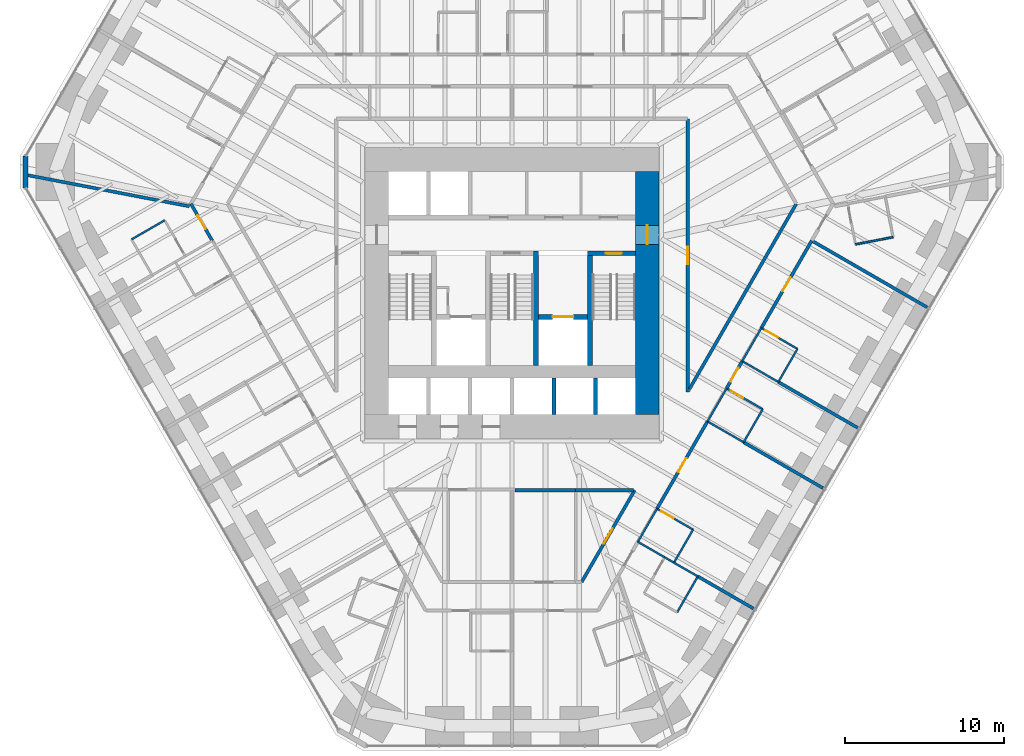
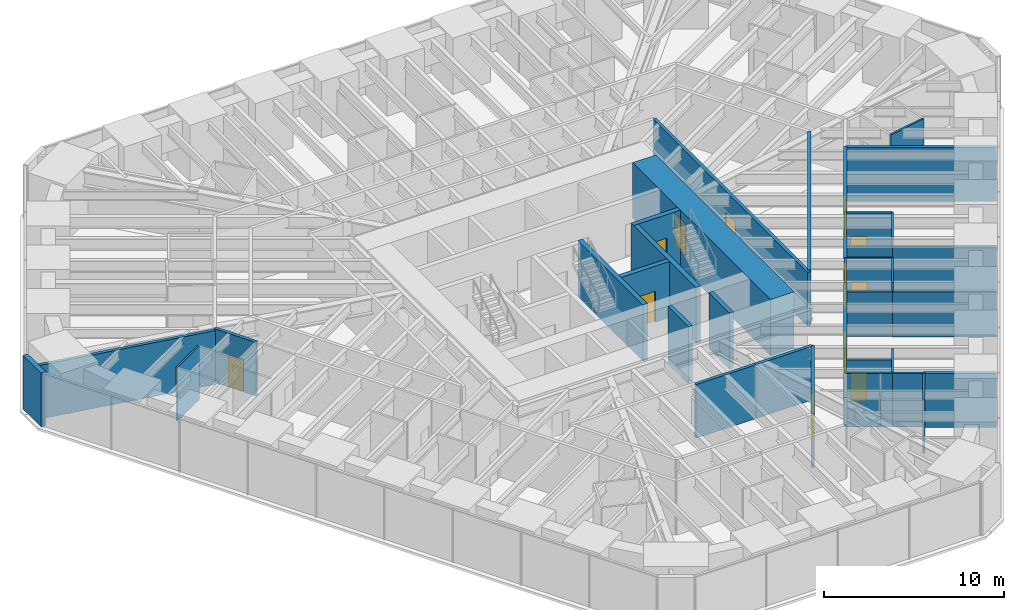
# One storey, part 13 of 17: 39 walls, 12 doors, 12 openings.
"""IFC4 building model written with IfcOpenShell, lengths in metres."""

from ifc_helpers import new_model, si_unit, direction, frame, frame_2d, origin, place, context, subcontext, project, spatial, rectangle, extrude, material, layer, layer_set, type_object, element, fill, save


model = new_model("IFC4")

# Units and contexts
model_context = context("Model", 3, precision=1e-05, world=origin(), true_north=direction((0.0, 1.0)))
body_context = subcontext(model_context, "Body", "Model", "MODEL_VIEW")
ifc_project = project(units=[si_unit("LENGTHUNIT", "METRE"), si_unit("AREAUNIT", "SQUARE_METRE"), si_unit("VOLUMEUNIT", "CUBIC_METRE"), si_unit("PLANEANGLEUNIT", "RADIAN"), si_unit("MASSUNIT", "GRAM", prefix="KILO")], contexts=[model_context])

# Site, building, storey
site_placement = place(None, origin())
site = spatial("IfcSite", under=ifc_project, at=site_placement, CompositionType="ELEMENT")
building_placement = place(site_placement, origin())
building = spatial("IfcBuilding", under=site, at=building_placement, Name="Sandreach Pilgrim Tower", CompositionType="ELEMENT")
storey_placement = place(building_placement, frame((0.0, 0.0, 30.60009765625)))
storey = spatial("IfcBuildingStorey", under=building, at=storey_placement, Name="L06", CompositionType="ELEMENT", Elevation=30.60009765625)

# Walls
ifc_material_1 = material(Name="Moisture-resistant gypsum board on steel studs", Category="steel")
ifc_layer_1 = layer(ifc_material_1, 0.1201171875)
ifc_layer_set_1 = layer_set([ifc_layer_1], Name="Bathroom partition 120")
wall_type_1 = type_object("IfcWallType", Name="Bathroom partition 120", PredefinedType="PARTITIONING", material=ifc_layer_set_1)
for number, where, z_axis, x_axis, name in (
    (1, (-21.830078125, 3.02001953125, 0.0), (0.0, 0.0, 1.0), (-0.866177122335, -0.499737123639, 0.0), "Bathroom partition L06-006"),
    (2, (7.909912109375, -17.18994140625, 0.0), (0.0, 0.0, 1.0), (0.499737123639, 0.866177122335, 0.0), "Bathroom partition L06-107"),
):
    element("IfcWall", number, at=place(storey_placement, frame(where, z_axis=z_axis, x_axis=x_axis)), inside=storey, type_object=wall_type_1, Name=name, PredefinedType="PARTITIONING", context=body_context, shape_type="SweptSolid", body=[
        extrude(rectangle(XDim=2.401123046875, YDim=0.1201171875, at=frame_2d((1.20068359375, 0.0))), origin(), (0.0, 0.0, 1.0), 3.639892578125),
    ])
wall_1_placement = place(storey_placement, frame((7.909912109375, -17.18994140625, 0.0), z_axis=(0.0, 0.0, 1.0), x_axis=(0.8673242112, -0.497743621421, 0.0)))
element("IfcWall", 3, at=wall_1_placement, inside=storey, type_object=wall_type_1, Name="Bathroom partition L06-108", PredefinedType="PARTITIONING", context=body_context, shape_type="SweptSolid", body=[
    extrude(rectangle(XDim=1.94873046875, YDim=0.1201171875, at=frame_2d((0.974365234375, 0.0))), origin(), (0.0, 0.0, 1.0), 3.639892578125),
])
wall_2_placement = place(storey_placement, frame((9.60009765625, -18.159912109375, 0.0), z_axis=(0.0, 0.0, 1.0), x_axis=(0.862577739272, -0.505924543497, 0.0)))
element("IfcWall", 4, at=wall_2_placement, inside=storey, type_object=wall_type_1, Name="Bathroom partition L06-123", PredefinedType="PARTITIONING", context=body_context, shape_type="SweptSolid", body=[
    extrude(rectangle(XDim=0.672119140625, YDim=0.1201171875, at=frame_2d((0.3359375, 0.0))), origin(), (0.0, 0.0, 1.0), 3.639892578125),
])
wall_3_placement = place(storey_placement, frame((10.179931640625, -18.5, 0.0), z_axis=(0.0, 0.0, 1.0), x_axis=(0.499693115345, 0.866202511239, 0.0)))
element("IfcWall", 5, at=wall_3_placement, inside=storey, type_object=wall_type_1, Name="Bathroom partition L06-124", PredefinedType="PARTITIONING", context=body_context, shape_type="SweptSolid", body=[
    extrude(rectangle(XDim=2.4013671875, YDim=0.1201171875, at=frame_2d((1.20068359375, 0.0))), origin(), (0.0, 0.0, 1.0), 3.639892578125),
])
wall_4_placement = place(storey_placement, frame((10.179931640625, -18.5, 0.0), z_axis=(0.0, 0.0, 1.0), x_axis=(0.867564547129, -0.497324598794, 0.0)))
element("IfcWall", 6, at=wall_4_placement, inside=storey, type_object=wall_type_1, Name="Bathroom partition L06-125", PredefinedType="PARTITIONING", context=body_context, shape_type="SweptSolid", body=[
    extrude(rectangle(XDim=1.72900390625, YDim=0.1201171875, at=frame_2d((0.864501953125, 0.0))), origin(), (0.0, 0.0, 1.0), 3.639892578125),
])
wall_5_placement = place(storey_placement, frame((10.3798828125, -21.6201171875, 0.0), z_axis=(0.0, 0.0, 1.0), x_axis=(0.498627694264, 0.866816256489, 0.0)))
element("IfcWall", 7, at=wall_5_placement, inside=storey, type_object=wall_type_1, Name="Bathroom partition L06-126", PredefinedType="PARTITIONING", context=body_context, shape_type="SweptSolid", body=[
    extrude(rectangle(XDim=2.607177734375, YDim=0.1201171875, at=frame_2d((1.3037109375, 0.0))), origin(), (0.0, 0.0, 1.0), 3.639892578125),
])

# Wall, opening, door
wall_6_placement = place(storey_placement, frame((11.3798828125, -16.419921875, 0.0), z_axis=(0.0, 0.0, 1.0), x_axis=(-0.866154567199, 0.49977621564, 0.0)))
wall_6 = element("IfcWall", 8, at=wall_6_placement, inside=storey, type_object=wall_type_1, Name="Bathroom partition L06-129", PredefinedType="PARTITIONING", context=body_context, shape_type="SweptSolid", body=[
    extrude(rectangle(XDim=2.620849609375, YDim=0.1201171875, at=frame_2d((1.310546875, 0.0))), origin(), (0.0, 0.0, 1.0), 2.8779296875),
])
opening_1_placement = place(wall_6_placement, frame((1.4208984375, 0.0, 0.0)))
opening_1 = element("IfcOpeningElement", 9, at=opening_1_placement, cuts=wall_6, Name="Opening D09-11B", PredefinedType="OPENING", context=body_context, shape_type="SweptSolid", body=[
    extrude(rectangle(XDim=0.89990234375, YDim=2.030029296875, at=frame_2d((0.449951171875, 1.01513671875))), frame((0.0, 0.06005859375, 0.0), z_axis=(0.0, -1.0, 0.0), x_axis=(1.0, 0.0, 0.0)), (0.0, 0.0, 1.0), 0.1201171875),
])
ifc_material_2 = material(Name="Timber door, steel frame", Category="steel")
door_type_1 = type_object("IfcDoorType", Name="Bathroom door", OperationType="SINGLE_SWING_LEFT", PredefinedType="DOOR", material=ifc_material_2)
door_1_placement = place(opening_1_placement, origin())
door_1 = element("IfcDoor", 10, at=door_1_placement, inside=storey, type_object=door_type_1, Name="Door 0611B", OperationType="SINGLE_SWING_RIGHT", OverallHeight=2.030029296875, OverallWidth=0.89990234375, PredefinedType="DOOR", context=body_context, shape_type="SweptSolid", body=[
    extrude(rectangle(XDim=0.89990234375, YDim=2.030029296875, at=frame_2d((0.449951171875, 1.01513671875))), frame((0.0, 0.02490234375, 0.0), z_axis=(0.0, -1.0, 0.0), x_axis=(1.0, 0.0, 0.0)), (0.0, 0.0, 1.0), 0.050048828125),
])
fill(opening_1, door_1)

# Walls
wall_7_placement = place(storey_placement, frame((12.2900390625, -9.6201171875, 0.0), z_axis=(0.0, 0.0, 1.0), x_axis=(0.499693115345, 0.866202511239, 0.0)))
element("IfcWall", 11, at=wall_7_placement, inside=storey, type_object=wall_type_1, Name="Bathroom partition L06-134", PredefinedType="PARTITIONING", context=body_context, shape_type="SweptSolid", body=[
    extrude(rectangle(XDim=2.4013671875, YDim=0.1201171875, at=frame_2d((1.20068359375, 0.0))), origin(), (0.0, 0.0, 1.0), 3.639892578125),
])
wall_8_placement = place(storey_placement, frame((12.2900390625, -9.6201171875, 0.0), z_axis=(0.0, 0.0, 1.0), x_axis=(0.865987003449, -0.500066505434, 0.0)))
element("IfcWall", 12, at=wall_8_placement, inside=storey, type_object=wall_type_1, Name="Bathroom partition L06-135", PredefinedType="PARTITIONING", context=body_context, shape_type="SweptSolid", body=[
    extrude(rectangle(XDim=2.620849609375, YDim=0.1201171875, at=frame_2d((1.310546875, 0.0))), origin(), (0.0, 0.0, 1.0), 3.037841796875),
])
wall_9_placement = place(storey_placement, frame((14.469970703125, -5.830078125, 0.0), z_axis=(0.0, 0.0, 1.0), x_axis=(0.499693115345, 0.866202511239, 0.0)))
element("IfcWall", 13, at=wall_9_placement, inside=storey, type_object=wall_type_1, Name="Bathroom partition L06-138", PredefinedType="PARTITIONING", context=body_context, shape_type="SweptSolid", body=[
    extrude(rectangle(XDim=2.4013671875, YDim=0.1201171875, at=frame_2d((1.20068359375, 0.0))), origin(), (0.0, 0.0, 1.0), 3.639892578125),
])
wall_10_placement = place(storey_placement, frame((14.469970703125, -5.830078125, 0.0), z_axis=(0.0, 0.0, 1.0), x_axis=(0.866010296064, -0.500026166427, 0.0)))
element("IfcWall", 14, at=wall_10_placement, inside=storey, type_object=wall_type_1, Name="Bathroom partition L06-139", PredefinedType="PARTITIONING", context=body_context, shape_type="SweptSolid", body=[
    extrude(rectangle(XDim=2.620849609375, YDim=0.1201171875, at=frame_2d((1.310546875, 0.0))), origin(), (0.0, 0.0, 1.0), 3.022705078125),
])
wall_11_placement = place(storey_placement, frame((14.56005859375, -10.929931640625, 0.0), z_axis=(0.0, 0.0, 1.0), x_axis=(0.499737123639, 0.866177122335, 0.0)))
element("IfcWall", 15, at=wall_11_placement, inside=storey, type_object=wall_type_1, Name="Bathroom partition L06-141", PredefinedType="PARTITIONING", context=body_context, shape_type="SweptSolid", body=[
    extrude(rectangle(XDim=2.401123046875, YDim=0.1201171875, at=frame_2d((1.20068359375, 0.0))), origin(), (0.0, 0.0, 1.0), 3.639892578125),
])

# Wall, opening, door
wall_12_placement = place(storey_placement, frame((15.760009765625, -8.85009765625, 0.0), z_axis=(0.0, 0.0, 1.0), x_axis=(-0.866114241029, 0.499846097802, 0.0)))
wall_12 = element("IfcWall", 16, at=wall_12_placement, inside=storey, type_object=wall_type_1, Name="Bathroom partition L06-145", PredefinedType="PARTITIONING", context=body_context, shape_type="SweptSolid", body=[
    extrude(rectangle(XDim=2.620849609375, YDim=0.1201171875, at=frame_2d((1.310546875, 0.0))), origin(), (0.0, 0.0, 1.0), 3.639892578125),
])
opening_2_placement = place(wall_12_placement, frame((1.4208984375, 0.0, 0.0)))
opening_2 = element("IfcOpeningElement", 17, at=opening_2_placement, cuts=wall_12, Name="Opening D09-10B", PredefinedType="OPENING", context=body_context, shape_type="SweptSolid", body=[
    extrude(rectangle(XDim=0.89990234375, YDim=2.030029296875, at=frame_2d((0.449951171875, 1.01513671875))), frame((0.0, 0.06005859375, 0.0), z_axis=(0.0, -1.0, 0.0), x_axis=(1.0, 0.0, 0.0)), (0.0, 0.0, 1.0), 0.1201171875),
])
door_2_placement = place(opening_2_placement, origin())
door_2 = element("IfcDoor", 18, at=door_2_placement, inside=storey, type_object=door_type_1, Name="Door 0610B", OperationType="SINGLE_SWING_RIGHT", OverallHeight=2.030029296875, OverallWidth=0.89990234375, PredefinedType="DOOR", context=body_context, shape_type="SweptSolid", body=[
    extrude(rectangle(XDim=0.89990234375, YDim=2.030029296875, at=frame_2d((0.449951171875, 1.01513671875))), frame((0.0, 0.02490234375, 0.0), z_axis=(0.0, -1.0, 0.0), x_axis=(1.0, 0.0, 0.0)), (0.0, 0.0, 1.0), 0.050048828125),
])
fill(opening_2, door_2)

# Wall
wall_13_placement = place(storey_placement, frame((16.739990234375, -7.139892578125, 0.0), z_axis=(0.0, 0.0, 1.0), x_axis=(0.499737123639, 0.866177122335, 0.0)))
element("IfcWall", 19, at=wall_13_placement, inside=storey, type_object=wall_type_1, Name="Bathroom partition L06-147", PredefinedType="PARTITIONING", context=body_context, shape_type="SweptSolid", body=[
    extrude(rectangle(XDim=2.401123046875, YDim=0.1201171875, at=frame_2d((1.20068359375, 0.0))), origin(), (0.0, 0.0, 1.0), 3.639892578125),
])

# Wall, opening, door
wall_14_placement = place(storey_placement, frame((17.93994140625, -5.06005859375, 0.0), z_axis=(0.0, 0.0, 1.0), x_axis=(-0.866114241029, 0.499846097802, 0.0)))
wall_14 = element("IfcWall", 20, at=wall_14_placement, inside=storey, type_object=wall_type_1, Name="Bathroom partition L06-153", PredefinedType="PARTITIONING", context=body_context, shape_type="SweptSolid", body=[
    extrude(rectangle(XDim=2.620849609375, YDim=0.1201171875, at=frame_2d((1.310546875, 0.0))), origin(), (0.0, 0.0, 1.0), 3.639892578125),
])
opening_3_placement = place(wall_14_placement, frame((1.4208984375, 0.0, 0.0)))
opening_3 = element("IfcOpeningElement", 21, at=opening_3_placement, cuts=wall_14, Name="Opening D09-09B", PredefinedType="OPENING", context=body_context, shape_type="SweptSolid", body=[
    extrude(rectangle(XDim=0.89990234375, YDim=2.030029296875, at=frame_2d((0.449951171875, 1.01513671875))), frame((0.0, 0.06005859375, 0.0), z_axis=(0.0, -1.0, 0.0), x_axis=(1.0, 0.0, 0.0)), (0.0, 0.0, 1.0), 0.1201171875),
])
door_3_placement = place(opening_3_placement, origin())
door_3 = element("IfcDoor", 22, at=door_3_placement, inside=storey, type_object=door_type_1, Name="Door 0609B", OperationType="SINGLE_SWING_RIGHT", OverallHeight=2.030029296875, OverallWidth=0.89990234375, PredefinedType="DOOR", context=body_context, shape_type="SweptSolid", body=[
    extrude(rectangle(XDim=0.89990234375, YDim=2.030029296875, at=frame_2d((0.449951171875, 1.01513671875))), frame((0.0, 0.02490234375, 0.0), z_axis=(0.0, -1.0, 0.0), x_axis=(1.0, 0.0, 0.0)), (0.0, 0.0, 1.0), 0.050048828125),
])
fill(opening_3, door_3)

# Walls
wall_15_placement = place(storey_placement, frame((21.590087890625, 1.510009765625, 0.0), z_axis=(0.0, 0.0, 1.0), x_axis=(0.982303859288, 0.187294228499, 0.0)))
element("IfcWall", 23, at=wall_15_placement, inside=storey, type_object=wall_type_1, Name="Bathroom partition L06-164", PredefinedType="PARTITIONING", context=body_context, shape_type="SweptSolid", body=[
    extrude(rectangle(XDim=2.40234375, YDim=0.1201171875, at=frame_2d((1.201171875, 0.0))), origin(), (0.0, 0.0, 1.0), 3.639892578125),
])
ifc_material_3 = material(Name="Concrete 10000 psi", Category="concrete")
ifc_layer_2 = layer(ifc_material_3, 0.300048828125)
ifc_layer_set_2 = layer_set([ifc_layer_2], Name="Core inner wall 300")
wall_type_2 = type_object("IfcWallType", Name="Core inner wall 300", PredefinedType="SHEAR", material=ifc_layer_set_2)
for number, where, z_axis, x_axis, name in (
    (24, (1.5, -6.10009765625, 0.0), (0.0, 0.0, 1.0), (0.0, 1.0, 0.0), "Core wall I2 L06"),
    (25, (4.89990234375, -6.10009765625, 0.0), (0.0, 0.0, 1.0), (0.0, 1.0, 0.0), "Core wall I3 L06"),
):
    element("IfcWall", number, at=place(storey_placement, frame(where, z_axis=z_axis, x_axis=x_axis)), inside=storey, type_object=wall_type_2, Name=name, PredefinedType="SHEAR", context=body_context, shape_type="SweptSolid", body=[
        extrude(rectangle(XDim=7.2001953125, YDim=0.300048828125, at=frame_2d((3.60009765625, 0.0))), origin(), (0.0, 0.0, 1.0), 3.7998046875),
    ])

# Wall, opening, door
wall_16_placement = place(storey_placement, frame((4.75, 0.949951171875, 0.0), z_axis=(0.0, 0.0, 1.0), x_axis=(1.0, 0.0, 0.0)))
wall_16 = element("IfcWall", 26, at=wall_16_placement, inside=storey, type_object=wall_type_2, Name="Core wall SN2 L06", PredefinedType="SHEAR", context=body_context, shape_type="SweptSolid", body=[
    extrude(rectangle(XDim=3.0, YDim=0.300048828125, at=frame_2d((1.5, 0.0))), origin(), (0.0, 0.0, 1.0), 3.7998046875),
])
opening_4_placement = place(wall_16_placement, frame((1.14990234375, 0.0, 0.0)))
opening_4 = element("IfcOpeningElement", 27, at=opening_4_placement, cuts=wall_16, Name="Opening D10S-ST2", PredefinedType="OPENING", context=body_context, shape_type="SweptSolid", body=[
    extrude(rectangle(XDim=1.0, YDim=2.199951171875, at=frame_2d((0.5, 1.10009765625))), frame((0.0, 0.14990234375, 0.0), z_axis=(0.0, -1.0, 0.0), x_axis=(1.0, 0.0, 0.0)), (0.0, 0.0, 1.0), 0.300048828125),
])
ifc_material_4 = material(Name="Steel door and frame", Category="steel")
door_type_2 = type_object("IfcDoorType", Name="Stair door", OperationType="SINGLE_SWING_LEFT", PredefinedType="DOOR", material=ifc_material_4)
door_4_placement = place(opening_4_placement, origin())
door_4 = element("IfcDoor", 28, at=door_4_placement, inside=storey, type_object=door_type_2, Name="Stair door ST2 L06", OperationType="SINGLE_SWING_RIGHT", OverallHeight=2.199951171875, OverallWidth=1.0, PredefinedType="DOOR", context=body_context, shape_type="SweptSolid", body=[
    extrude(rectangle(XDim=1.0, YDim=2.199951171875, at=frame_2d((0.5, 1.10009765625))), frame((0.0, 0.02490234375, 0.0), z_axis=(0.0, -1.0, 0.0), x_axis=(1.0, 0.0, 0.0)), (0.0, 0.0, 1.0), 0.050048828125),
])
fill(opening_4, door_4)

wall_17_placement = place(storey_placement, frame((1.64990234375, -3.050048828125, 0.0), z_axis=(0.0, 0.0, 1.0), x_axis=(1.0, 0.0, 0.0)))
wall_17 = element("IfcWall", 29, at=wall_17_placement, inside=storey, type_object=wall_type_2, Name="Core wall FL2 L06", PredefinedType="SHEAR", context=body_context, shape_type="SweptSolid", body=[
    extrude(rectangle(XDim=3.10009765625, YDim=0.300048828125, at=frame_2d((1.550048828125, 0.0))), origin(), (0.0, 0.0, 1.0), 3.7998046875),
])
opening_5_placement = place(wall_17_placement, frame((0.89990234375, 0.0, 0.0)))
opening_5 = element("IfcOpeningElement", 30, at=opening_5_placement, cuts=wall_17, Name="Opening LD13", PredefinedType="OPENING", context=body_context, shape_type="SweptSolid", body=[
    extrude(rectangle(XDim=1.300048828125, YDim=2.10009765625, at=frame_2d((0.64990234375, 1.050048828125))), frame((0.0, 0.14990234375, 0.0), z_axis=(0.0, -1.0, 0.0), x_axis=(1.0, 0.0, 0.0)), (0.0, 0.0, 1.0), 0.300048828125),
])
ifc_material_5 = material(Name="Steel door and frame", Category="steel")
door_type_3 = type_object("IfcDoorType", Name="Fire service lift landing door", OperationType="DOUBLE_DOOR_SLIDING", PredefinedType="DOOR", material=ifc_material_5)
door_5_placement = place(opening_5_placement, origin())
door_5 = element("IfcDoor", 31, at=door_5_placement, inside=storey, type_object=door_type_3, Name="Lift landing door FS2 L06", OperationType="DOUBLE_DOOR_SLIDING", OverallHeight=2.10009765625, OverallWidth=1.300048828125, PredefinedType="DOOR", context=body_context, shape_type="SweptSolid", body=[
    extrude(rectangle(XDim=1.300048828125, YDim=2.10009765625, at=frame_2d((0.64990234375, 1.050048828125))), frame((0.0, 0.02490234375, 0.0), z_axis=(0.0, -1.0, 0.0), x_axis=(1.0, 0.0, 0.0)), (0.0, 0.0, 1.0), 0.050048828125),
])
fill(opening_5, door_5)

ifc_material_6 = material(Name="Concrete 10000 psi", Category="concrete")
ifc_layer_3 = layer(ifc_material_6, 1.5)
ifc_layer_set_3 = layer_set([ifc_layer_3], Name="Core wall 1500")
wall_type_3 = type_object("IfcWallType", Name="Core wall 1500", PredefinedType="SHEAR", material=ifc_layer_set_3)
wall_18_placement = place(storey_placement, frame((8.5, -9.199951171875, 0.0), z_axis=(0.0, 0.0, 1.0), x_axis=(0.0, 1.0, 0.0)))
wall_18 = element("IfcWall", 32, at=wall_18_placement, inside=storey, type_object=wall_type_3, Name="Core wall E L06", PredefinedType="SHEAR", context=body_context, shape_type="SweptSolid", body=[
    extrude(rectangle(XDim=15.300048828125, YDim=1.5, at=frame_2d((7.64990234375, 0.0))), origin(), (0.0, 0.0, 1.0), 3.7998046875),
])
opening_6_placement = place(wall_18_placement, frame((10.699951171875, 0.0, 0.0)))
opening_6 = element("IfcOpeningElement", 33, at=opening_6_placement, cuts=wall_18, Name="Opening D12F-E", PredefinedType="OPENING", context=body_context, shape_type="SweptSolid", body=[
    extrude(rectangle(XDim=1.199951171875, YDim=2.199951171875, at=frame_2d((0.60009765625, 1.10009765625))), frame((0.0, 0.75, 0.0), z_axis=(0.0, -1.0, 0.0), x_axis=(1.0, 0.0, 0.0)), (0.0, 0.0, 1.0), 1.5),
])
ifc_material_7 = material(Name="Steel door and frame", Category="steel")
door_type_4 = type_object("IfcDoorType", Name="Fire lobby door", OperationType="SINGLE_SWING_LEFT", PredefinedType="DOOR", material=ifc_material_7)
door_6_placement = place(opening_6_placement, origin())
door_6 = element("IfcDoor", 34, at=door_6_placement, inside=storey, type_object=door_type_4, Name="Fire service lobby door E L06", OperationType="SINGLE_SWING_RIGHT", OverallHeight=2.199951171875, OverallWidth=1.199951171875, PredefinedType="DOOR", context=body_context, shape_type="SweptSolid", body=[
    extrude(rectangle(XDim=1.199951171875, YDim=2.199951171875, at=frame_2d((0.60009765625, 1.10009765625))), frame((0.0, 0.02490234375, 0.0), z_axis=(0.0, -1.0, 0.0), x_axis=(1.0, 0.0, 0.0)), (0.0, 0.0, 1.0), 0.050048828125),
])
fill(opening_6, door_6)

ifc_material_8 = material(Name="Gypsum board on steel studs, two layers each side", Category="steel")
ifc_layer_4 = layer(ifc_material_8, 0.199951171875)
ifc_layer_set_4 = layer_set([ifc_layer_4], Name="Corridor wall 200")
wall_type_4 = type_object("IfcWallType", Name="Corridor wall 200", PredefinedType="PARTITIONING", material=ifc_layer_set_4)
wall_19_placement = place(storey_placement, frame((-20.179931640625, 4.06005859375, 0.0), z_axis=(0.0, 0.0, 1.0), x_axis=(0.500098439427, -0.865968562295, 0.0)))
wall_19 = element("IfcWall", 35, at=wall_19_placement, inside=storey, type_object=wall_type_4, Name="Corridor wall L06-014", PredefinedType="PARTITIONING", context=body_context, shape_type="SweptSolid", body=[
    extrude(rectangle(XDim=2.67919921875, YDim=0.199951171875, at=frame_2d((1.339599609375, 0.0))), origin(), (0.0, 0.0, 1.0), 3.639892578125),
])
opening_7_placement = place(wall_19_placement, frame((0.839599609375, 0.0, 0.0)))
opening_7 = element("IfcOpeningElement", 36, at=opening_7_placement, cuts=wall_19, Name="Opening D10-19", PredefinedType="OPENING", context=body_context, shape_type="SweptSolid", body=[
    extrude(rectangle(XDim=1.0, YDim=2.1298828125, at=frame_2d((0.5, 1.06494140625))), frame((0.0, 0.10009765625, 0.0), z_axis=(0.0, -1.0, 0.0), x_axis=(1.0, 0.0, 0.0)), (0.0, 0.0, 1.0), 0.199951171875),
])
ifc_material_9 = material(Name="Steel door and frame", Category="steel")
door_type_5 = type_object("IfcDoorType", Name="Guest room entry door", OperationType="SINGLE_SWING_LEFT", PredefinedType="DOOR", material=ifc_material_9)
door_7_placement = place(opening_7_placement, origin())
door_7 = element("IfcDoor", 37, at=door_7_placement, inside=storey, type_object=door_type_5, Name="Door 0619", OperationType="SINGLE_SWING_LEFT", OverallHeight=2.1298828125, OverallWidth=1.0, PredefinedType="DOOR", context=body_context, shape_type="SweptSolid", body=[
    extrude(rectangle(XDim=1.0, YDim=2.1298828125, at=frame_2d((0.5, 1.06494140625))), frame((0.0, 0.02490234375, 0.0), z_axis=(0.0, -1.0, 0.0), x_axis=(1.0, 0.0, 0.0)), (0.0, 0.0, 1.0), 0.050048828125),
])
fill(opening_7, door_7)

# Walls
wall_20_placement = place(storey_placement, frame((0.179931640625, -13.949951171875, 0.0), z_axis=(0.0, 0.0, 1.0), x_axis=(1.0, 0.0, 0.0)))
element("IfcWall", 38, at=wall_20_placement, inside=storey, type_object=wall_type_4, Name="Corridor wall L06-087", PredefinedType="PARTITIONING", context=body_context, shape_type="SweptSolid", body=[
    extrude(rectangle(XDim=3.820068359375, YDim=0.199951171875, at=frame_2d((1.91015625, 0.0))), origin(), (0.0, 0.0, 1.0), 3.639892578125),
])
wall_21_placement = place(storey_placement, frame((4.0, -13.949951171875, 0.0), z_axis=(0.0, 0.0, 1.0), x_axis=(1.0, 0.0, 0.0)))
element("IfcWall", 39, at=wall_21_placement, inside=storey, type_object=wall_type_4, Name="Corridor wall L06-095", PredefinedType="PARTITIONING", context=body_context, shape_type="SweptSolid", body=[
    extrude(rectangle(XDim=3.635009765625, YDim=0.199951171875, at=frame_2d((1.8173828125, 0.0))), origin(), (0.0, 0.0, 1.0), 3.639892578125),
])

# Wall, opening, door
wall_22_placement = place(storey_placement, frame((7.7099609375, -13.949951171875, 0.0), z_axis=(0.0, 0.0, 1.0), x_axis=(-0.500511113963, -0.865730110831, 0.0)))
wall_22 = element("IfcWall", 40, at=wall_22_placement, inside=storey, type_object=wall_type_4, Name="Corridor wall L06-106", PredefinedType="PARTITIONING", context=body_context, shape_type="SweptSolid", body=[
    extrude(rectangle(XDim=6.6533203125, YDim=0.199951171875, at=frame_2d((3.32666015625, 0.0))), origin(), (0.0, 0.0, 1.0), 3.639892578125),
])
opening_8_placement = place(wall_22_placement, frame((2.776611328125, 0.0, 0.0)))
opening_8 = element("IfcOpeningElement", 41, at=opening_8_placement, cuts=wall_22, Name="Opening D11H-S4", PredefinedType="OPENING", context=body_context, shape_type="SweptSolid", body=[
    extrude(rectangle(XDim=1.10009765625, YDim=2.199951171875, at=frame_2d((0.550048828125, 1.10009765625))), frame((0.0, 0.10009765625, 0.0), z_axis=(0.0, -1.0, 0.0), x_axis=(1.0, 0.0, 0.0)), (0.0, 0.0, 1.0), 0.199951171875),
])
ifc_material_10 = material(Name="Steel door and frame", Category="steel")
door_type_6 = type_object("IfcDoorType", Name="Back of house door", OperationType="SINGLE_SWING_LEFT", PredefinedType="DOOR", material=ifc_material_10)
door_8_placement = place(opening_8_placement, origin())
door_8 = element("IfcDoor", 42, at=door_8_placement, inside=storey, type_object=door_type_6, Name="Door 06S4", OperationType="SINGLE_SWING_LEFT", OverallHeight=2.199951171875, OverallWidth=1.10009765625, PredefinedType="DOOR", context=body_context, shape_type="SweptSolid", body=[
    extrude(rectangle(XDim=1.10009765625, YDim=2.199951171875, at=frame_2d((0.550048828125, 1.10009765625))), frame((0.0, 0.02490234375, 0.0), z_axis=(0.0, -1.0, 0.0), x_axis=(1.0, 0.0, 0.0)), (0.0, 0.0, 1.0), 0.050048828125),
])
fill(opening_8, door_8)

wall_23_placement = place(storey_placement, frame((9.110107421875, -15.110107421875, 0.0), z_axis=(0.0, 0.0, 1.0), x_axis=(0.500872436665, 0.86552111597, 0.0)))
wall_23 = element("IfcWall", 43, at=wall_23_placement, inside=storey, type_object=wall_type_4, Name="Corridor wall L06-114", PredefinedType="PARTITIONING", context=body_context, shape_type="SweptSolid", body=[
    extrude(rectangle(XDim=6.344482421875, YDim=0.199951171875, at=frame_2d((3.17236328125, 0.0))), origin(), (0.0, 0.0, 1.0), 3.639892578125),
])
opening_9_placement = place(wall_23_placement, frame((2.67236328125, 0.0, 0.0)))
opening_9 = element("IfcOpeningElement", 44, at=opening_9_placement, cuts=wall_23, Name="Opening D10-11", PredefinedType="OPENING", context=body_context, shape_type="SweptSolid", body=[
    extrude(rectangle(XDim=1.0, YDim=2.1298828125, at=frame_2d((0.5, 1.06494140625))), frame((0.0, 0.10009765625, 0.0), z_axis=(0.0, -1.0, 0.0), x_axis=(1.0, 0.0, 0.0)), (0.0, 0.0, 1.0), 0.199951171875),
])
door_9_placement = place(opening_9_placement, origin())
door_9 = element("IfcDoor", 45, at=door_9_placement, inside=storey, type_object=door_type_5, Name="Door 0611", OperationType="SINGLE_SWING_LEFT", OverallHeight=2.1298828125, OverallWidth=1.0, PredefinedType="DOOR", context=body_context, shape_type="SweptSolid", body=[
    extrude(rectangle(XDim=1.0, YDim=2.1298828125, at=frame_2d((0.5, 1.06494140625))), frame((0.0, 0.02490234375, 0.0), z_axis=(0.0, -1.0, 0.0), x_axis=(1.0, 0.0, 0.0)), (0.0, 0.0, 1.0), 0.050048828125),
])
fill(opening_9, door_9)

wall_24_placement = place(storey_placement, frame((11.050048828125, -7.760009765625, 0.0), z_axis=(0.0, 0.0, 1.0), x_axis=(0.0, 1.0, 0.0)))
wall_24 = element("IfcWall", 46, at=wall_24_placement, inside=storey, type_object=wall_type_4, Name="Corridor wall L06-128", PredefinedType="PARTITIONING", context=body_context, shape_type="SweptSolid", body=[
    extrude(rectangle(XDim=17.159912109375, YDim=0.199951171875, at=frame_2d((8.580078125, 0.0))), origin(), (0.0, 0.0, 1.0), 3.639892578125),
])
opening_10_placement = place(wall_24_placement, frame((8.030029296875, 0.0, 0.0)))
opening_10 = element("IfcOpeningElement", 47, at=opening_10_placement, cuts=wall_24, Name="Opening D11H-M04", PredefinedType="OPENING", context=body_context, shape_type="SweptSolid", body=[
    extrude(rectangle(XDim=1.10009765625, YDim=2.199951171875, at=frame_2d((0.550048828125, 1.10009765625))), frame((0.0, 0.10009765625, 0.0), z_axis=(0.0, -1.0, 0.0), x_axis=(1.0, 0.0, 0.0)), (0.0, 0.0, 1.0), 0.199951171875),
])
door_10_placement = place(opening_10_placement, origin())
door_10 = element("IfcDoor", 48, at=door_10_placement, inside=storey, type_object=door_type_6, Name="Door 06M04", OperationType="SINGLE_SWING_LEFT", OverallHeight=2.199951171875, OverallWidth=1.10009765625, PredefinedType="DOOR", context=body_context, shape_type="SweptSolid", body=[
    extrude(rectangle(XDim=1.10009765625, YDim=2.199951171875, at=frame_2d((0.550048828125, 1.10009765625))), frame((0.0, 0.02490234375, 0.0), z_axis=(0.0, -1.0, 0.0), x_axis=(1.0, 0.0, 0.0)), (0.0, 0.0, 1.0), 0.050048828125),
])
fill(opening_10, door_10)

wall_25_placement = place(storey_placement, frame((13.48876953125, -7.539306640625, 0.0), z_axis=(0.0, 0.0, 1.0), x_axis=(0.4978588916, 0.867258049288, 0.0)))
wall_25 = element("IfcWall", 49, at=wall_25_placement, inside=storey, type_object=wall_type_4, Name="Corridor wall L06-136", PredefinedType="PARTITIONING", context=body_context, shape_type="SweptSolid", body=[
    extrude(rectangle(XDim=1.970947265625, YDim=0.199951171875, at=frame_2d((0.9853515625, 0.0))), origin(), (0.0, 0.0, 1.0), 3.639892578125),
])
opening_11_placement = place(wall_25_placement, frame((0.485595703125, 0.0, 0.0)))
opening_11 = element("IfcOpeningElement", 50, at=opening_11_placement, cuts=wall_25, Name="Opening D10-10", PredefinedType="OPENING", context=body_context, shape_type="SweptSolid", body=[
    extrude(rectangle(XDim=1.0, YDim=2.1298828125, at=frame_2d((0.5, 1.06494140625))), frame((0.0, 0.10009765625, 0.0), z_axis=(0.0, -1.0, 0.0), x_axis=(1.0, 0.0, 0.0)), (0.0, 0.0, 1.0), 0.199951171875),
])
door_11_placement = place(opening_11_placement, origin())
door_11 = element("IfcDoor", 51, at=door_11_placement, inside=storey, type_object=door_type_5, Name="Door 0610", OperationType="SINGLE_SWING_LEFT", OverallHeight=2.1298828125, OverallWidth=1.0, PredefinedType="DOOR", context=body_context, shape_type="SweptSolid", body=[
    extrude(rectangle(XDim=1.0, YDim=2.1298828125, at=frame_2d((0.5, 1.06494140625))), frame((0.0, 0.02490234375, 0.0), z_axis=(0.0, -1.0, 0.0), x_axis=(1.0, 0.0, 0.0)), (0.0, 0.0, 1.0), 0.050048828125),
])
fill(opening_11, door_11)

wall_26_placement = place(storey_placement, frame((15.669921875, -3.75, 0.0), z_axis=(0.0, 0.0, 1.0), x_axis=(0.500061360627, 0.865989974311, 0.0)))
wall_26 = element("IfcWall", 52, at=wall_26_placement, inside=storey, type_object=wall_type_4, Name="Corridor wall L06-144", PredefinedType="PARTITIONING", context=body_context, shape_type="SweptSolid", body=[
    extrude(rectangle(XDim=6.339599609375, YDim=0.199951171875, at=frame_2d((3.169921875, 0.0))), origin(), (0.0, 0.0, 1.0), 3.639892578125),
])
opening_12_placement = place(wall_26_placement, frame((2.669921875, 0.0, 0.0)))
opening_12 = element("IfcOpeningElement", 53, at=opening_12_placement, cuts=wall_26, Name="Opening D10-09", PredefinedType="OPENING", context=body_context, shape_type="SweptSolid", body=[
    extrude(rectangle(XDim=1.0, YDim=2.1298828125, at=frame_2d((0.5, 1.06494140625))), frame((0.0, 0.10009765625, 0.0), z_axis=(0.0, -1.0, 0.0), x_axis=(1.0, 0.0, 0.0)), (0.0, 0.0, 1.0), 0.199951171875),
])
door_12_placement = place(opening_12_placement, origin())
door_12 = element("IfcDoor", 54, at=door_12_placement, inside=storey, type_object=door_type_5, Name="Door 0609", OperationType="SINGLE_SWING_LEFT", OverallHeight=2.1298828125, OverallWidth=1.0, PredefinedType="DOOR", context=body_context, shape_type="SweptSolid", body=[
    extrude(rectangle(XDim=1.0, YDim=2.1298828125, at=frame_2d((0.5, 1.06494140625))), frame((0.0, 0.02490234375, 0.0), z_axis=(0.0, -1.0, 0.0), x_axis=(1.0, 0.0, 0.0)), (0.0, 0.0, 1.0), 0.050048828125),
])
fill(opening_12, door_12)

# Walls
wall_27_placement = place(storey_placement, frame((17.8701171875, 4.06005859375, 0.0), z_axis=(0.0, 0.0, 1.0), x_axis=(-0.499769659837, -0.866158349903, 0.0)))
element("IfcWall", 55, at=wall_27_placement, inside=storey, type_object=wall_type_4, Name="Corridor wall L06-152", PredefinedType="PARTITIONING", context=body_context, shape_type="SweptSolid", body=[
    extrude(rectangle(XDim=13.431396484375, YDim=0.199951171875, at=frame_2d((6.7158203125, 0.0))), origin(), (0.0, 0.0, 1.0), 3.639892578125),
])
ifc_material_11 = material(Name="Double steel stud acoustic wall, gypsum board", Category="steel")
ifc_layer_5 = layer(ifc_material_11, 0.199951171875)
ifc_layer_set_5 = layer_set([ifc_layer_5], Name="Party wall 200")
wall_type_5 = type_object("IfcWallType", Name="Party wall 200", PredefinedType="PARTITIONING", material=ifc_layer_set_5)
wall_28_placement = place(storey_placement, frame((-30.590576171875, 5.88427734375, 0.0), z_axis=(0.0, 0.0, 1.0), x_axis=(0.981987542287, -0.188945671541, 0.0)))
element("IfcWall", 56, at=wall_28_placement, inside=storey, type_object=wall_type_5, Name="Party wall L06-001", PredefinedType="PARTITIONING", context=body_context, shape_type="SweptSolid", body=[
    extrude(rectangle(XDim=10.503662109375, YDim=0.199951171875, at=frame_2d((5.251953125, 0.0))), origin(), (0.0, 0.0, 1.0), 3.639892578125),
])
wall_29_placement = place(storey_placement, frame((11.679931640625, -19.360107421875, 0.0), z_axis=(0.0, 0.0, 1.0), x_axis=(0.865885444553, -0.500242338183, 0.0)))
element("IfcWall", 57, at=wall_29_placement, inside=storey, type_object=wall_type_5, Name="Party wall L06-131", PredefinedType="PARTITIONING", context=body_context, shape_type="SweptSolid", body=[
    extrude(rectangle(XDim=4.03759765625, YDim=0.199951171875, at=frame_2d((2.018798828125, 0.0))), origin(), (0.0, 0.0, 1.0), 3.639892578125),
])
wall_30_placement = place(storey_placement, frame((14.5595703125, -10.9306640625, 0.0), z_axis=(0.0, 0.0, 1.0), x_axis=(0.865995646508, -0.500051537573, 0.0)))
element("IfcWall", 58, at=wall_30_placement, inside=storey, type_object=wall_type_5, Name="Party wall L06-140", PredefinedType="PARTITIONING", context=body_context, shape_type="SweptSolid", body=[
    extrude(rectangle(XDim=5.75830078125, YDim=0.199951171875, at=frame_2d((2.879150390625, 0.0))), origin(), (0.0, 0.0, 1.0), 3.037841796875),
])
wall_31_placement = place(storey_placement, frame((16.73974609375, -7.140625, 0.0), z_axis=(0.0, 0.0, 1.0), x_axis=(0.865985044037, -0.500069898618, 0.0)))
element("IfcWall", 59, at=wall_31_placement, inside=storey, type_object=wall_type_5, Name="Party wall L06-146", PredefinedType="PARTITIONING", context=body_context, shape_type="SweptSolid", body=[
    extrude(rectangle(XDim=5.758056640625, YDim=0.199951171875, at=frame_2d((2.87890625, 0.0))), origin(), (0.0, 0.0, 1.0), 3.022705078125),
])
wall_32_placement = place(storey_placement, frame((26.09619140625, -2.449951171875, 0.0), z_axis=(0.0, 0.0, 1.0), x_axis=(-0.866002919298, 0.500038942252, 0.0)))
element("IfcWall", 60, at=wall_32_placement, inside=storey, type_object=wall_type_5, Name="Party wall L06-170", PredefinedType="PARTITIONING", context=body_context, shape_type="SweptSolid", body=[
    extrude(rectangle(XDim=8.368896484375, YDim=0.199951171875, at=frame_2d((4.1845703125, 0.0))), origin(), (0.0, 0.0, 1.0), 3.639892578125),
])
ifc_material_12 = material(Name="Gypsum shaft wall on steel studs, two layers of shaft liner board", Category="steel")
ifc_layer_6 = layer(ifc_material_12, 0.25)
ifc_layer_set_6 = layer_set([ifc_layer_6], Name="Shaft partition 250")
wall_type_6 = type_object("IfcWallType", Name="Shaft partition 250", PredefinedType="PARTITIONING", material=ifc_layer_set_6)
for number, where, z_axis, x_axis, name in (
    (61, (2.625, -9.199951171875, 0.0), (0.0, 0.0, 1.0), (0.0, 1.0, 0.0), "Shaft partition XS3 L06"),
    (62, (5.25, -9.199951171875, 0.0), (0.0, 0.0, 1.0), (0.0, 1.0, 0.0), "Shaft partition XS4 L06"),
):
    element("IfcWall", number, at=place(storey_placement, frame(where, z_axis=z_axis, x_axis=x_axis)), inside=storey, type_object=wall_type_6, Name=name, PredefinedType="PARTITIONING", context=body_context, shape_type="SweptSolid", body=[
        extrude(rectangle(XDim=2.300048828125, YDim=0.25, at=frame_2d((1.14990234375, 0.0))), origin(), (0.0, 0.0, 1.0), 3.7998046875),
    ])
ifc_material_13 = material(Name="Terracotta rainscreen on concrete", Category="masonry")
ifc_layer_7 = layer(ifc_material_13, 0.300048828125)
ifc_layer_set_7 = layer_set([ifc_layer_7], Name="Terracotta chamfer pier")
wall_type_7 = type_object("IfcWallType", Name="Terracotta chamfer pier", PredefinedType="SOLIDWALL", material=ifc_layer_set_7)
wall_33_placement = place(storey_placement, frame((-30.576171875, 5.062255859375, 0.0), z_axis=(0.0, 0.0, 1.0), x_axis=(0.0, 1.0, 0.0)))
element("IfcWall", 63, at=wall_33_placement, inside=storey, type_object=wall_type_7, Name="Chamfer pier L06 SW", PredefinedType="SOLIDWALL", context=body_context, shape_type="SweptSolid", body=[
    extrude(rectangle(XDim=2.0, YDim=0.300048828125, at=frame_2d((1.0, 0.0))), origin(), (0.0, 0.0, 1.0), 3.639892578125),
])

save(model, "model.ifc")
